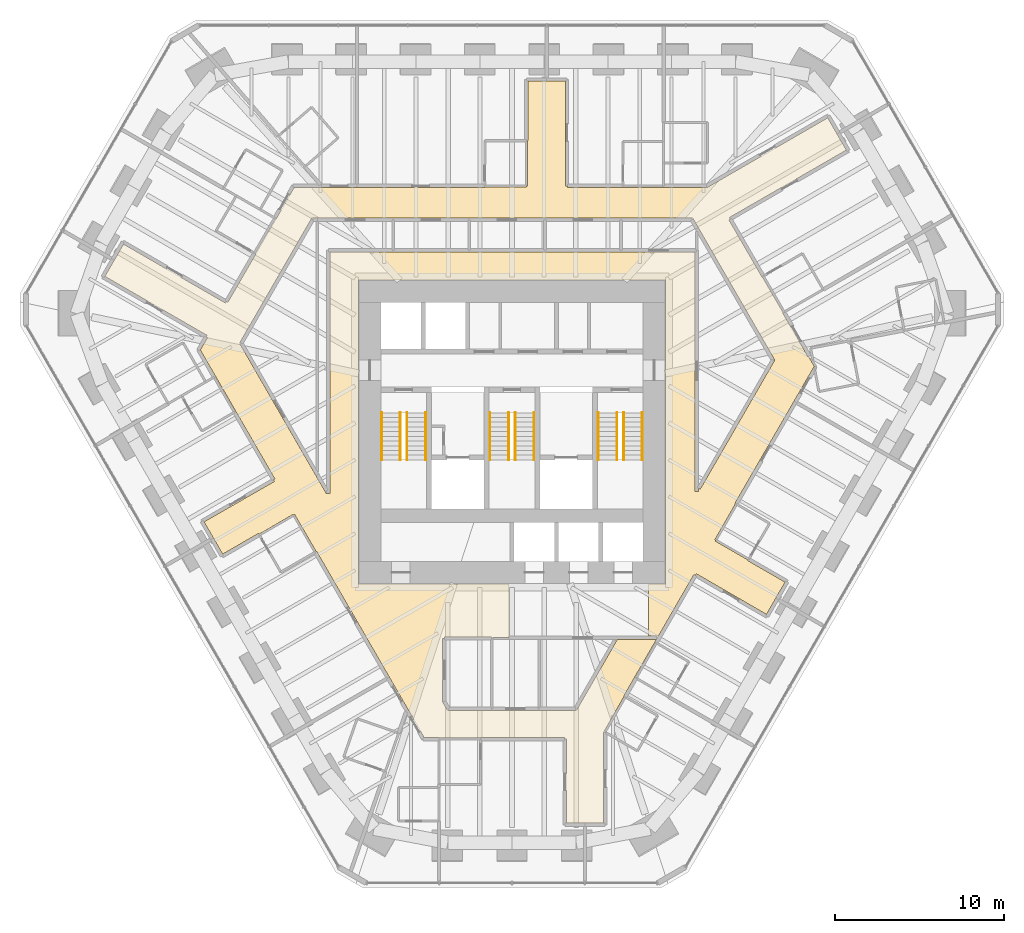
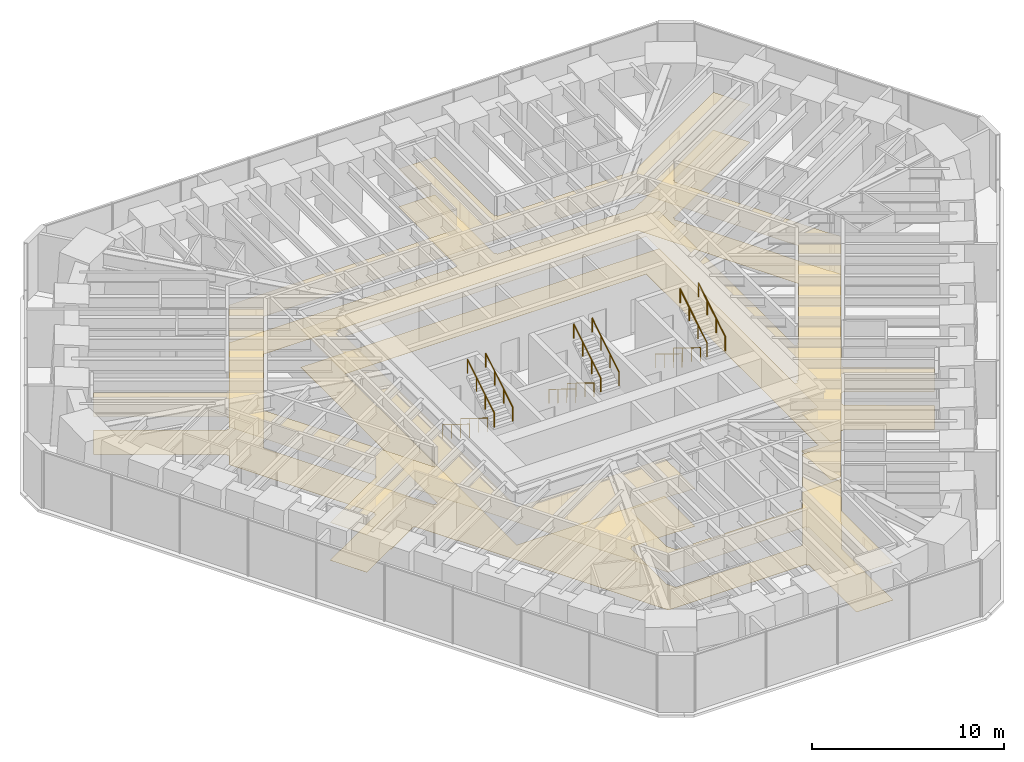
# One storey, part 17 of 17: 12 railings, 2 coverings.
"""IFC4 building model written with IfcOpenShell, lengths in metres."""

from ifc_helpers import new_model, si_unit, direction, frame, origin, origin_2d, place, context, subcontext, project, spatial, polyline, circle, outline, extrude, material, layer, layer_set, type_object, element, save


model = new_model("IFC4")

# Units and contexts
model_context = context("Model", 3, precision=1e-05, world=origin(), true_north=direction((0.0, 1.0)))
body_context = subcontext(model_context, "Body", "Model", "MODEL_VIEW")
ifc_project = project(units=[si_unit("LENGTHUNIT", "METRE"), si_unit("AREAUNIT", "SQUARE_METRE"), si_unit("VOLUMEUNIT", "CUBIC_METRE"), si_unit("PLANEANGLEUNIT", "RADIAN"), si_unit("MASSUNIT", "GRAM", prefix="KILO")], contexts=[model_context])

# Site, building, storey
site_placement = place(None, origin())
site = spatial("IfcSite", under=ifc_project, at=site_placement, CompositionType="ELEMENT")
building_placement = place(site_placement, origin())
building = spatial("IfcBuilding", under=site, at=building_placement, Name="Sandreach Pilgrim Tower", CompositionType="ELEMENT")
storey_placement = place(building_placement, frame((0.0, 0.0, 165.199951171875)))
storey = spatial("IfcBuildingStorey", under=building, at=storey_placement, Name="L41", CompositionType="ELEMENT", Elevation=165.199951171875)

# Coverings
ifc_material_1 = material(Name="Nylon carpet tile on the slab", Category="textile")
ifc_layer_1 = layer(ifc_material_1, 0.008056640625)
ifc_layer_set_1 = layer_set([ifc_layer_1], Name="Carpet tile")
covering_type_1 = type_object("IfcCoveringType", Name="Carpet tile", PredefinedType="FLOORING", material=ifc_layer_set_1)
covering_1_placement = place(storey_placement, origin())
element("IfcCovering", 1, at=covering_1_placement, inside=storey, type_object=covering_type_1, Name="Floor finish 41C Corridor 41", PredefinedType="FLOORING", context=body_context, shape_type="SweptSolid", body=[
    extrude(outline(polyline([(-18.030029296875, 4.16650390625), (-24.053466796875, 7.646484375), (-22.953369140625, 9.553466796875), (-16.929931640625, 6.073486328125), (-16.869873046875, 6.165771484375), (-16.788330078125, 6.11865234375), (-12.872314453125, 12.889892578125), (-1.60009765625, 12.889892578125), (-1.60009765625, 12.9228515625), (0.85009765625, 12.929931640625), (0.85107421875, 12.989990234375), (0.909912109375, 12.989990234375), (0.909912109375, 15.659912109375), (0.949951171875, 15.659912109375), (0.949951171875, 19.179931640625), (3.14990234375, 19.179931640625), (3.14990234375, 12.989990234375), (3.264892578125, 12.989990234375), (3.264892578125, 12.889892578125), (11.516845703125, 12.889892578125), (18.6533203125, 17.013427734375), (19.75341796875, 15.106689453125), (12.85009765625, 11.126708984375), (12.907470703125, 11.027099609375), (12.82080078125, 10.97705078125), (16.013916015625, 5.501708984375), (15.991455078125, 5.48876953125), (17.486328125, 2.90478515625), (17.517822265625, 2.9228515625), (17.8603515625, 2.33544921875), (13.17333984375, -5.760009765625), (13.208740234375, -5.7802734375), (11.988037109375, -7.909912109375), (12.039306640625, -7.94091796875), (12.010009765625, -7.991943359375), (13.9580078125, -9.11572265625), (13.93798828125, -9.150146484375), (16.13330078125, -10.416748046875), (15.033447265625, -12.3232421875), (10.89013671875, -9.923583984375), (10.83251953125, -10.02294921875), (10.745849609375, -9.972900390625), (8.6513671875, -13.60009765625), (8.050048828125, -13.60009765625), (8.050048828125, -10.52001953125), (9.070068359375, -10.52001953125), (9.070068359375, 7.419921875), (-9.070068359375, 7.419921875), (-9.070068359375, -10.52001953125), (-0.175048828125, -10.52001953125), (-0.175048828125, -13.68994140625), (-1.199951171875, -13.67919921875), (-1.199951171875, -13.64990234375), (-3.989990234375, -13.64990234375), (-3.989990234375, -13.75), (-4.10009765625, -13.75), (-4.10009765625, -17.487060546875), (-3.8076171875, -17.989990234375), (3.8076171875, -17.989990234375), (6.2265625, -13.800048828125), (8.535888671875, -13.800048828125), (6.603271484375, -17.150146484375), (6.622314453125, -17.160888671875), (5.409912109375, -19.2900390625), (5.409912109375, -24.659912109375), (3.2099609375, -24.659912109375), (3.2099609375, -19.68994140625), (3.10009765625, -19.68994140625), (3.10009765625, -19.590087890625), (-5.192138671875, -19.590087890625), (-11.54345703125, -8.599853515625), (-11.56884765625, -8.61474609375), (-12.837890625, -6.43017578125), (-12.890625, -6.458984375), (-12.919921875, -6.407958984375), (-14.945556640625, -7.585693359375), (-14.973388671875, -7.537841796875), (-17.093505859375, -8.763427734375), (-18.193359375, -6.856689453125), (-14.0400390625, -4.466552734375), (-14.097412109375, -4.366943359375), (-14.010986328125, -4.31689453125), (-18.41455078125, 3.300048828125), (-17.998291015625, 4.021484375), (-18.08056640625, 4.06884765625), (-18.030029296875, 4.16650390625)]), holes=[polyline([(-16.095458984375, 3.699951171875), (-10.965576171875, -5.18994140625), (-10.85009765625, -5.19482421875), (-10.75, -5.18994140625), (-10.75, 9.10009765625), (10.820068359375, 9.10009765625), (10.820068359375, -5.070068359375), (11.02001953125, -5.070068359375), (11.02001953125, -4.873779296875), (11.11669921875, -4.929443359375), (15.525390625, 2.699951171875), (10.677734375, 11.090087890625), (-11.82763671875, 11.090087890625), (-16.095458984375, 3.699951171875)])]), origin(), (0.0, 0.0, 1.0), 0.008056640625),
])
ifc_material_2 = material(Name="Gypsum board suspended ceiling on a steel grid", Category="steel")
ifc_layer_2 = layer(ifc_material_2, 0.012939453125)
ifc_layer_set_2 = layer_set([ifc_layer_2], Name="Gypsum board suspended ceiling")
covering_type_2 = type_object("IfcCoveringType", Name="Gypsum board suspended ceiling", PredefinedType="CEILING", material=ifc_layer_set_2)
covering_2_placement = place(storey_placement, frame((0.0, 0.0, 2.400146484375)))
element("IfcCovering", 2, at=covering_2_placement, inside=storey, type_object=covering_type_2, Name="Ceiling 41C Corridor 41", PredefinedType="CEILING", context=body_context, shape_type="SweptSolid", body=[
    extrude(outline(polyline([(-18.030029296875, 4.16650390625), (-24.053466796875, 7.646484375), (-22.953369140625, 9.553466796875), (-16.929931640625, 6.073486328125), (-16.869873046875, 6.165771484375), (-16.788330078125, 6.11865234375), (-12.872314453125, 12.889892578125), (-1.60009765625, 12.889892578125), (-1.60009765625, 12.9228515625), (0.85009765625, 12.929931640625), (0.85107421875, 12.989990234375), (0.909912109375, 12.989990234375), (0.909912109375, 15.659912109375), (0.949951171875, 15.659912109375), (0.949951171875, 19.179931640625), (3.14990234375, 19.179931640625), (3.14990234375, 12.989990234375), (3.264892578125, 12.989990234375), (3.264892578125, 12.889892578125), (11.516845703125, 12.889892578125), (18.6533203125, 17.013427734375), (19.75341796875, 15.106689453125), (12.85009765625, 11.126708984375), (12.907470703125, 11.027099609375), (12.82080078125, 10.97705078125), (16.013916015625, 5.501708984375), (15.991455078125, 5.48876953125), (17.486328125, 2.90478515625), (17.517822265625, 2.9228515625), (17.8603515625, 2.33544921875), (13.17333984375, -5.760009765625), (13.208740234375, -5.7802734375), (11.988037109375, -7.909912109375), (12.039306640625, -7.94091796875), (12.010009765625, -7.991943359375), (13.9580078125, -9.11572265625), (13.93798828125, -9.150146484375), (16.13330078125, -10.416748046875), (15.033447265625, -12.3232421875), (10.89013671875, -9.923583984375), (10.83251953125, -10.02294921875), (10.745849609375, -9.972900390625), (8.6513671875, -13.60009765625), (8.050048828125, -13.60009765625), (8.050048828125, -10.52001953125), (9.070068359375, -10.52001953125), (9.070068359375, 7.419921875), (-9.070068359375, 7.419921875), (-9.070068359375, -10.52001953125), (-0.175048828125, -10.52001953125), (-0.175048828125, -13.68994140625), (-1.199951171875, -13.67919921875), (-1.199951171875, -13.64990234375), (-3.989990234375, -13.64990234375), (-3.989990234375, -13.75), (-4.10009765625, -13.75), (-4.10009765625, -17.487060546875), (-3.8076171875, -17.989990234375), (3.8076171875, -17.989990234375), (6.2265625, -13.800048828125), (8.535888671875, -13.800048828125), (6.603271484375, -17.150146484375), (6.622314453125, -17.160888671875), (5.409912109375, -19.2900390625), (5.409912109375, -24.659912109375), (3.2099609375, -24.659912109375), (3.2099609375, -19.68994140625), (3.10009765625, -19.68994140625), (3.10009765625, -19.590087890625), (-5.192138671875, -19.590087890625), (-11.54345703125, -8.599853515625), (-11.56884765625, -8.61474609375), (-12.837890625, -6.43017578125), (-12.890625, -6.458984375), (-12.919921875, -6.407958984375), (-14.945556640625, -7.585693359375), (-14.973388671875, -7.537841796875), (-17.093505859375, -8.763427734375), (-18.193359375, -6.856689453125), (-14.0400390625, -4.466552734375), (-14.097412109375, -4.366943359375), (-14.010986328125, -4.31689453125), (-18.41455078125, 3.300048828125), (-17.998291015625, 4.021484375), (-18.08056640625, 4.06884765625), (-18.030029296875, 4.16650390625)]), holes=[polyline([(-16.095458984375, 3.699951171875), (-10.965576171875, -5.18994140625), (-10.85009765625, -5.19482421875), (-10.75, -5.18994140625), (-10.75, 9.10009765625), (10.820068359375, 9.10009765625), (10.820068359375, -5.070068359375), (11.02001953125, -5.070068359375), (11.02001953125, -4.873779296875), (11.11669921875, -4.929443359375), (15.525390625, 2.699951171875), (10.677734375, 11.090087890625), (-11.82763671875, 11.090087890625), (-16.095458984375, 3.699951171875)])]), origin(), (0.0, 0.0, 1.0), 0.012939453125),
])

# Railings
ifc_material_3 = material(Name="Stainless steel tube", Category="steel")
railing_type = type_object("IfcRailingType", Name="Stair handrail", PredefinedType="HANDRAIL", material=ifc_material_3)
for number, where, name in (
    (3, (-6.60009765625, -0.39990234375, 0.1728515625), "Handrail ST1 L41 flight 1"),
    (4, (-7.699951171875, -0.39990234375, 0.1728515625), "Handrail ST1 L41 flight 1"),
):
    element("IfcRailing", number, at=place(storey_placement, frame(where)), inside=storey, type_object=railing_type, Name=name, PredefinedType="HANDRAIL", context=body_context, shape_type="SweptSolid", body=[
        extrude(circle(Radius=0.02392578125, at=origin_2d()), frame((0.0, 0.0, 0.8759765625), z_axis=(0.0, -0.851089632645, 0.525020415988), x_axis=(1.0, 0.0, 0.0)), (0.0, 0.0, 1.0), 3.2900390625),
        extrude(circle(Radius=0.02099609375, at=origin_2d()), origin(), (0.0, 0.0, 1.0), 0.851806640625),
        extrude(circle(Radius=0.02099609375, at=origin_2d()), frame((0.0, -0.933349609375, 0.57568359375)), (0.0, 0.0, 1.0), 0.851806640625),
        extrude(circle(Radius=0.02099609375, at=origin_2d()), frame((0.0, -1.86669921875, 1.151611328125)), (0.0, 0.0, 1.0), 0.851806640625),
        extrude(circle(Radius=0.02099609375, at=origin_2d()), frame((0.0, -2.800048828125, 1.727294921875)), (0.0, 0.0, 1.0), 0.851806640625),
    ])
for number, where, name in (
    (5, (-6.199951171875, -3.199951171875, 2.07275390625), "Handrail ST1 L41 flight 2"),
    (6, (-5.10009765625, -3.199951171875, 2.07275390625), "Handrail ST1 L41 flight 2"),
):
    element("IfcRailing", number, at=place(storey_placement, frame(where)), inside=storey, type_object=railing_type, Name=name, PredefinedType="HANDRAIL", context=body_context, shape_type="SweptSolid", body=[
        extrude(circle(Radius=0.02392578125, at=origin_2d()), frame((0.0, 0.0, 0.8759765625), z_axis=(0.0, 0.851089632645, 0.525020415988), x_axis=(-1.0, 0.0, 0.0)), (0.0, 0.0, 1.0), 3.2900390625),
        extrude(circle(Radius=0.02099609375, at=origin_2d()), origin(), (0.0, 0.0, 1.0), 0.851806640625),
        extrude(circle(Radius=0.02099609375, at=origin_2d()), frame((0.0, 0.933349609375, 0.57568359375)), (0.0, 0.0, 1.0), 0.851806640625),
        extrude(circle(Radius=0.02099609375, at=origin_2d()), frame((0.0, 1.86669921875, 1.151611328125)), (0.0, 0.0, 1.0), 0.851806640625),
        extrude(circle(Radius=0.02099609375, at=origin_2d()), frame((0.0, 2.800048828125, 1.727294921875)), (0.0, 0.0, 1.0), 0.851806640625),
    ])
for number, where, name in (
    (7, (-0.199951171875, -0.39990234375, 0.1728515625), "Handrail ST3 L41 flight 1"),
    (8, (-1.300048828125, -0.39990234375, 0.1728515625), "Handrail ST3 L41 flight 1"),
):
    element("IfcRailing", number, at=place(storey_placement, frame(where)), inside=storey, type_object=railing_type, Name=name, PredefinedType="HANDRAIL", context=body_context, shape_type="SweptSolid", body=[
        extrude(circle(Radius=0.02392578125, at=origin_2d()), frame((0.0, 0.0, 0.8759765625), z_axis=(0.0, -0.851089632645, 0.525020415988), x_axis=(1.0, 0.0, 0.0)), (0.0, 0.0, 1.0), 3.2900390625),
        extrude(circle(Radius=0.02099609375, at=origin_2d()), origin(), (0.0, 0.0, 1.0), 0.851806640625),
        extrude(circle(Radius=0.02099609375, at=origin_2d()), frame((0.0, -0.933349609375, 0.57568359375)), (0.0, 0.0, 1.0), 0.851806640625),
        extrude(circle(Radius=0.02099609375, at=origin_2d()), frame((0.0, -1.86669921875, 1.151611328125)), (0.0, 0.0, 1.0), 0.851806640625),
        extrude(circle(Radius=0.02099609375, at=origin_2d()), frame((0.0, -2.800048828125, 1.727294921875)), (0.0, 0.0, 1.0), 0.851806640625),
    ])
for number, where, name in (
    (9, (0.199951171875, -3.199951171875, 2.07275390625), "Handrail ST3 L41 flight 2"),
    (10, (1.300048828125, -3.199951171875, 2.07275390625), "Handrail ST3 L41 flight 2"),
):
    element("IfcRailing", number, at=place(storey_placement, frame(where)), inside=storey, type_object=railing_type, Name=name, PredefinedType="HANDRAIL", context=body_context, shape_type="SweptSolid", body=[
        extrude(circle(Radius=0.02392578125, at=origin_2d()), frame((0.0, 0.0, 0.8759765625), z_axis=(0.0, 0.851089632645, 0.525020415988), x_axis=(-1.0, 0.0, 0.0)), (0.0, 0.0, 1.0), 3.2900390625),
        extrude(circle(Radius=0.02099609375, at=origin_2d()), origin(), (0.0, 0.0, 1.0), 0.851806640625),
        extrude(circle(Radius=0.02099609375, at=origin_2d()), frame((0.0, 0.933349609375, 0.57568359375)), (0.0, 0.0, 1.0), 0.851806640625),
        extrude(circle(Radius=0.02099609375, at=origin_2d()), frame((0.0, 1.86669921875, 1.151611328125)), (0.0, 0.0, 1.0), 0.851806640625),
        extrude(circle(Radius=0.02099609375, at=origin_2d()), frame((0.0, 2.800048828125, 1.727294921875)), (0.0, 0.0, 1.0), 0.851806640625),
    ])
for number, where, name in (
    (11, (6.199951171875, -0.39990234375, 0.1728515625), "Handrail ST2 L41 flight 1"),
    (12, (5.10009765625, -0.39990234375, 0.1728515625), "Handrail ST2 L41 flight 1"),
):
    element("IfcRailing", number, at=place(storey_placement, frame(where)), inside=storey, type_object=railing_type, Name=name, PredefinedType="HANDRAIL", context=body_context, shape_type="SweptSolid", body=[
        extrude(circle(Radius=0.02392578125, at=origin_2d()), frame((0.0, 0.0, 0.8759765625), z_axis=(0.0, -0.851089632645, 0.525020415988), x_axis=(1.0, 0.0, 0.0)), (0.0, 0.0, 1.0), 3.2900390625),
        extrude(circle(Radius=0.02099609375, at=origin_2d()), origin(), (0.0, 0.0, 1.0), 0.851806640625),
        extrude(circle(Radius=0.02099609375, at=origin_2d()), frame((0.0, -0.933349609375, 0.57568359375)), (0.0, 0.0, 1.0), 0.851806640625),
        extrude(circle(Radius=0.02099609375, at=origin_2d()), frame((0.0, -1.86669921875, 1.151611328125)), (0.0, 0.0, 1.0), 0.851806640625),
        extrude(circle(Radius=0.02099609375, at=origin_2d()), frame((0.0, -2.800048828125, 1.727294921875)), (0.0, 0.0, 1.0), 0.851806640625),
    ])
for number, where, name in (
    (13, (6.60009765625, -3.199951171875, 2.07275390625), "Handrail ST2 L41 flight 2"),
    (14, (7.699951171875, -3.199951171875, 2.07275390625), "Handrail ST2 L41 flight 2"),
):
    element("IfcRailing", number, at=place(storey_placement, frame(where)), inside=storey, type_object=railing_type, Name=name, PredefinedType="HANDRAIL", context=body_context, shape_type="SweptSolid", body=[
        extrude(circle(Radius=0.02392578125, at=origin_2d()), frame((0.0, 0.0, 0.8759765625), z_axis=(0.0, 0.851089632645, 0.525020415988), x_axis=(-1.0, 0.0, 0.0)), (0.0, 0.0, 1.0), 3.2900390625),
        extrude(circle(Radius=0.02099609375, at=origin_2d()), origin(), (0.0, 0.0, 1.0), 0.851806640625),
        extrude(circle(Radius=0.02099609375, at=origin_2d()), frame((0.0, 0.933349609375, 0.57568359375)), (0.0, 0.0, 1.0), 0.851806640625),
        extrude(circle(Radius=0.02099609375, at=origin_2d()), frame((0.0, 1.86669921875, 1.151611328125)), (0.0, 0.0, 1.0), 0.851806640625),
        extrude(circle(Radius=0.02099609375, at=origin_2d()), frame((0.0, 2.800048828125, 1.727294921875)), (0.0, 0.0, 1.0), 0.851806640625),
    ])

save(model, "model.ifc")
